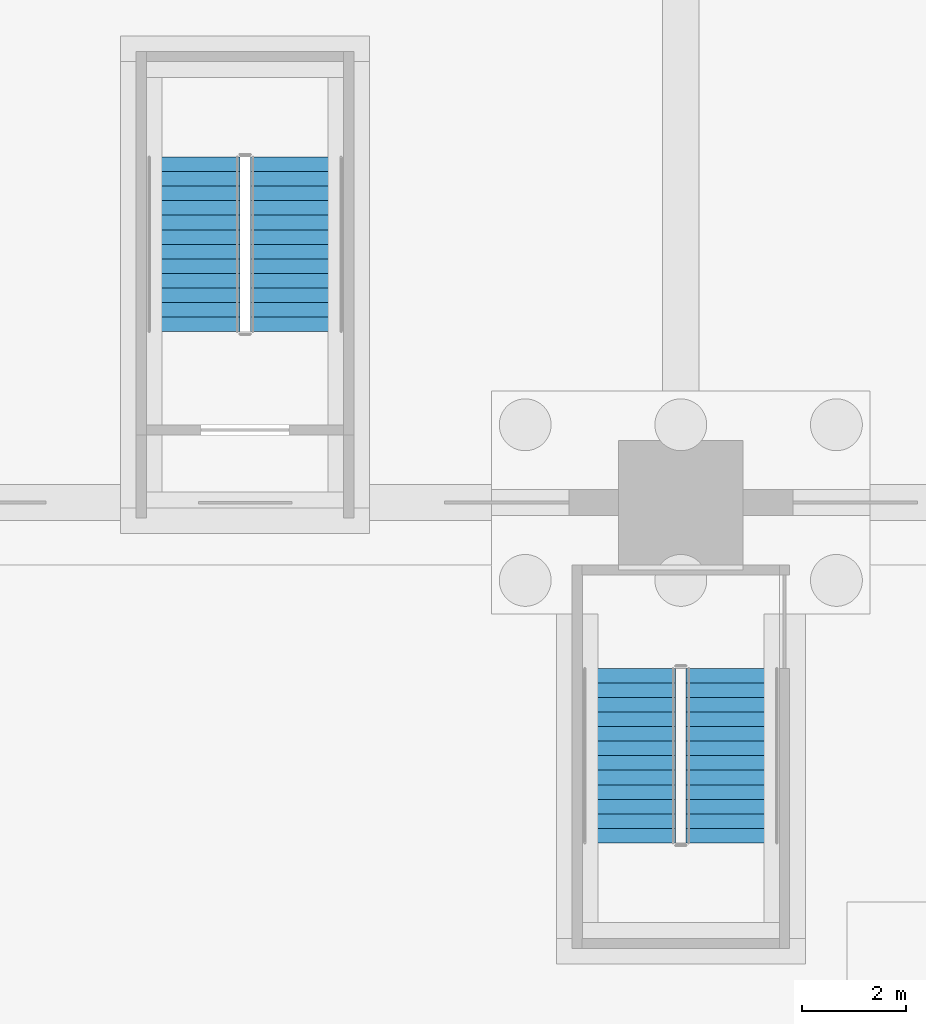
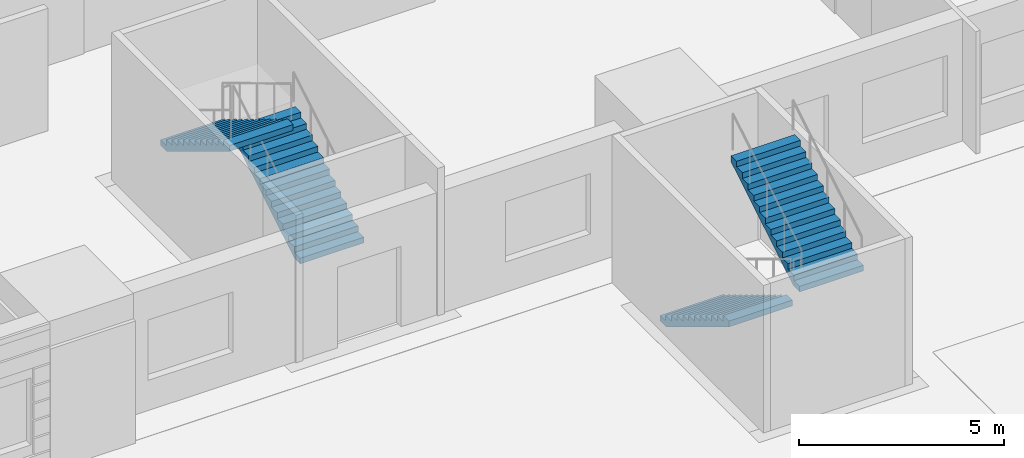
# One storey, part 106 of 139: 4 stair flights, 2 elements without a shape of their own.
"""IFC4 building model written with IfcOpenShell, lengths in metres."""

from ifc_helpers import new_model, si_unit, direction, frame, origin, place, context, subcontext, project, spatial, polygons, material, type_object, element, aggregate, save


model = new_model("IFC4")

# Units and contexts
model_context = context("Model", 3, precision=1e-05, world=origin(), true_north=direction((0.0, 1.0)))
body_context = subcontext(model_context, "Body", "Model", "MODEL_VIEW")
ifc_project = project(units=[si_unit("LENGTHUNIT", "METRE"), si_unit("AREAUNIT", "SQUARE_METRE"), si_unit("VOLUMEUNIT", "CUBIC_METRE"), si_unit("PLANEANGLEUNIT", "RADIAN"), si_unit("MASSUNIT", "GRAM", prefix="KILO")], contexts=[model_context])

# Site, building, storey
site_placement = place(None, origin())
site = spatial("IfcSite", under=ifc_project, at=site_placement, CompositionType="ELEMENT")
building_placement = place(site_placement, origin())
building = spatial("IfcBuilding", under=site, at=building_placement, Name="Verrick Yard Athletic Hall", CompositionType="ELEMENT")
storey_placement = place(building_placement, origin())
storey = spatial("IfcBuildingStorey", under=building, at=storey_placement, Name="L00", CompositionType="ELEMENT", Elevation=0.0)

# Stair, stair flights
ifc_material = material(Name="Concrete 35 MPa", Category="concrete")
stair_type = type_object("IfcStairType", Name="Stair ST3 1800 wide 26 risers", PredefinedType="HALF_TURN_STAIR", material=ifc_material)
stair_1_placement = place(storey_placement, origin())
stair_1 = element("IfcStair", 1, at=stair_1_placement, inside=storey, type_object=stair_type, Name="South deck escape 1 stair L00", PredefinedType="HALF_TURN_STAIR")
stair_flight_type = type_object("IfcStairFlightType", Name="Stair flight SF3 1800 wide 13 risers", PredefinedType="STRAIGHT", material=ifc_material)
stair_flight_1_placement = place(storey_placement, frame((55.800048828125, 16.0, 0.0), z_axis=(0.0, 0.0, 1.0), x_axis=(0.0, -1.0, 0.0)))
stair_flight_1 = element("IfcStairFlight", 2, at=stair_flight_1_placement, type_object=stair_flight_type, Name="ST3 flight 1", NumberOfRisers=13, NumberOfTreads=12, PredefinedType="STRAIGHT", RiserHeight=0.169230769, TreadLength=0.28, context=body_context, shape_type="Tessellation", body=[
    polygons([(0.28980123017674275, -0.89990234375, 0.0), (3.3600000000000003, -0.89990234375, 1.855614638571585), (3.3600000000000003, -0.89990234375, 2.030769228), (3.08, -0.89990234375, 2.030769228), (3.08, -0.89990234375, 1.8615384590000001), (2.8000000000000003, -0.89990234375, 1.8615384590000001), (2.8000000000000003, -0.89990234375, 1.69230769), (2.5200000000000005, -0.89990234375, 1.69230769), (2.5200000000000005, -0.89990234375, 1.523076921), (2.24, -0.89990234375, 1.523076921), (2.24, -0.89990234375, 1.353846152), (1.9600000000000002, -0.89990234375, 1.353846152), (1.9600000000000002, -0.89990234375, 1.1846153830000001), (1.6800000000000002, -0.89990234375, 1.1846153830000001), (1.6800000000000002, -0.89990234375, 1.015384614), (1.4000000000000001, -0.89990234375, 1.015384614), (1.4000000000000001, -0.89990234375, 0.846153845), (1.12, -0.89990234375, 0.846153845), (1.12, -0.89990234375, 0.676923076), (0.8400000000000001, -0.89990234375, 0.676923076), (0.8400000000000001, -0.89990234375, 0.507692307), (0.56, -0.89990234375, 0.507692307), (0.56, -0.89990234375, 0.338461538), (0.28, -0.89990234375, 0.338461538), (0.28, -0.89990234375, 0.169230769), (0.0, -0.89990234375, 0.169230769), (0.0, -0.89990234375, 0.0), (0.28980123017674275, -0.179931640625, 0.0), (3.3600000000000003, -0.179931640625, 1.855614638571585), (3.3600000000000003, -0.179931640625, 2.030769228), (3.08, -0.179931640625, 2.030769228), (3.08, -0.179931640625, 1.8615384590000001), (2.8000000000000003, -0.179931640625, 1.8615384590000001), (2.8000000000000003, -0.179931640625, 1.69230769), (2.5200000000000005, -0.179931640625, 1.69230769), (2.5200000000000005, -0.179931640625, 1.523076921), (2.24, -0.179931640625, 1.523076921), (2.24, -0.179931640625, 1.353846152), (1.9600000000000002, -0.179931640625, 1.353846152), (1.9600000000000002, -0.179931640625, 1.1846153830000001), (1.6800000000000002, -0.179931640625, 1.1846153830000001), (1.6800000000000002, -0.179931640625, 1.015384614), (1.4000000000000001, -0.179931640625, 1.015384614), (1.4000000000000001, -0.179931640625, 0.846153845), (1.12, -0.179931640625, 0.846153845), (1.12, -0.179931640625, 0.676923076), (0.8400000000000001, -0.179931640625, 0.676923076), (0.8400000000000001, -0.179931640625, 0.507692307), (0.56, -0.179931640625, 0.507692307), (0.56, -0.179931640625, 0.338461538), (0.28, -0.179931640625, 0.338461538), (0.28, -0.179931640625, 0.169230769), (0.0, -0.179931640625, 0.169230769), (0.0, -0.179931640625, 0.0), (0.28980123017674275, 0.179931640625, 0.0), (3.3600000000000003, 0.179931640625, 1.855614638571585), (3.3600000000000003, 0.179931640625, 2.030769228), (3.08, 0.179931640625, 2.030769228), (3.08, 0.179931640625, 1.8615384590000001), (2.8000000000000003, 0.179931640625, 1.8615384590000001), (2.8000000000000003, 0.179931640625, 1.69230769), (2.5200000000000005, 0.179931640625, 1.69230769), (2.5200000000000005, 0.179931640625, 1.523076921), (2.24, 0.179931640625, 1.523076921), (2.24, 0.179931640625, 1.353846152), (1.9600000000000002, 0.179931640625, 1.353846152), (1.9600000000000002, 0.179931640625, 1.1846153830000001), (1.6800000000000002, 0.179931640625, 1.1846153830000001), (1.6800000000000002, 0.179931640625, 1.015384614), (1.4000000000000001, 0.179931640625, 1.015384614), (1.4000000000000001, 0.179931640625, 0.846153845), (1.12, 0.179931640625, 0.846153845), (1.12, 0.179931640625, 0.676923076), (0.8400000000000001, 0.179931640625, 0.676923076), (0.8400000000000001, 0.179931640625, 0.507692307), (0.56, 0.179931640625, 0.507692307), (0.56, 0.179931640625, 0.338461538), (0.28, 0.179931640625, 0.338461538), (0.28, 0.179931640625, 0.169230769), (0.0, 0.179931640625, 0.169230769), (0.0, 0.179931640625, 0.0), (0.28980123017674275, 0.89990234375, 0.0), (3.3600000000000003, 0.89990234375, 1.855614638571585), (3.3600000000000003, 0.89990234375, 2.030769228), (3.08, 0.89990234375, 2.030769228), (3.08, 0.89990234375, 1.8615384590000001), (2.8000000000000003, 0.89990234375, 1.8615384590000001), (2.8000000000000003, 0.89990234375, 1.69230769), (2.5200000000000005, 0.89990234375, 1.69230769), (2.5200000000000005, 0.89990234375, 1.523076921), (2.24, 0.89990234375, 1.523076921), (2.24, 0.89990234375, 1.353846152), (1.9600000000000002, 0.89990234375, 1.353846152), (1.9600000000000002, 0.89990234375, 1.1846153830000001), (1.6800000000000002, 0.89990234375, 1.1846153830000001), (1.6800000000000002, 0.89990234375, 1.015384614), (1.4000000000000001, 0.89990234375, 1.015384614), (1.4000000000000001, 0.89990234375, 0.846153845), (1.12, 0.89990234375, 0.846153845), (1.12, 0.89990234375, 0.676923076), (0.8400000000000001, 0.89990234375, 0.676923076), (0.8400000000000001, 0.89990234375, 0.507692307), (0.56, 0.89990234375, 0.507692307), (0.56, 0.89990234375, 0.338461538), (0.28, 0.89990234375, 0.338461538), (0.28, 0.89990234375, 0.169230769), (0.0, 0.89990234375, 0.169230769), (0.0, 0.89990234375, 0.0)], [[[1, 2, 3, 4, 5, 6, 7, 8, 9, 10, 11, 12, 13, 14, 15, 16, 17, 18, 19, 20, 21, 22, 23, 24, 25, 26, 27]], [[108, 107, 106, 105, 104, 103, 102, 101, 100, 99, 98, 97, 96, 95, 94, 93, 92, 91, 90, 89, 88, 87, 86, 85, 84, 83, 82]], [[1, 28, 29, 2]], [[2, 29, 30, 3]], [[3, 30, 31, 4]], [[4, 31, 32, 5]], [[5, 32, 33, 6]], [[6, 33, 34, 7]], [[7, 34, 35, 8]], [[8, 35, 36, 9]], [[9, 36, 37, 10]], [[10, 37, 38, 11]], [[11, 38, 39, 12]], [[12, 39, 40, 13]], [[13, 40, 41, 14]], [[14, 41, 42, 15]], [[15, 42, 43, 16]], [[16, 43, 44, 17]], [[17, 44, 45, 18]], [[18, 45, 46, 19]], [[19, 46, 47, 20]], [[20, 47, 48, 21]], [[21, 48, 49, 22]], [[22, 49, 50, 23]], [[23, 50, 51, 24]], [[24, 51, 52, 25]], [[25, 52, 53, 26]], [[26, 53, 54, 27]], [[27, 54, 28, 1]], [[28, 55, 56, 29]], [[29, 56, 57, 30]], [[30, 57, 58, 31]], [[31, 58, 59, 32]], [[32, 59, 60, 33]], [[33, 60, 61, 34]], [[34, 61, 62, 35]], [[35, 62, 63, 36]], [[36, 63, 64, 37]], [[37, 64, 65, 38]], [[38, 65, 66, 39]], [[39, 66, 67, 40]], [[40, 67, 68, 41]], [[41, 68, 69, 42]], [[42, 69, 70, 43]], [[43, 70, 71, 44]], [[44, 71, 72, 45]], [[45, 72, 73, 46]], [[46, 73, 74, 47]], [[47, 74, 75, 48]], [[48, 75, 76, 49]], [[49, 76, 77, 50]], [[50, 77, 78, 51]], [[51, 78, 79, 52]], [[52, 79, 80, 53]], [[53, 80, 81, 54]], [[54, 81, 55, 28]], [[55, 82, 83, 56]], [[56, 83, 84, 57]], [[57, 84, 85, 58]], [[58, 85, 86, 59]], [[59, 86, 87, 60]], [[60, 87, 88, 61]], [[61, 88, 89, 62]], [[62, 89, 90, 63]], [[63, 90, 91, 64]], [[64, 91, 92, 65]], [[65, 92, 93, 66]], [[66, 93, 94, 67]], [[67, 94, 95, 68]], [[68, 95, 96, 69]], [[69, 96, 97, 70]], [[70, 97, 98, 71]], [[71, 98, 99, 72]], [[72, 99, 100, 73]], [[73, 100, 101, 74]], [[74, 101, 102, 75]], [[75, 102, 103, 76]], [[76, 103, 104, 77]], [[77, 104, 105, 78]], [[78, 105, 106, 79]], [[79, 106, 107, 80]], [[80, 107, 108, 81]], [[81, 108, 82, 55]]], closed=True),
])
stair_flight_2_placement = place(storey_placement, frame((57.800048828125, 12.639892578125, 2.199951171875), z_axis=(0.0, 0.0, 1.0), x_axis=(0.0, 1.0, 0.0)))
stair_flight_2 = element("IfcStairFlight", 3, at=stair_flight_2_placement, type_object=stair_flight_type, Name="ST3 flight 2", NumberOfRisers=13, NumberOfTreads=12, PredefinedType="STRAIGHT", RiserHeight=0.169230769, TreadLength=0.28, context=body_context, shape_type="Tessellation", body=[
    polygons([(0.28980123017674275, -0.89990234375, 0.0), (3.3600000000000003, -0.89990234375, 1.855614638571585), (3.3600000000000003, -0.89990234375, 2.030769228), (3.08, -0.89990234375, 2.030769228), (3.08, -0.89990234375, 1.8615384590000001), (2.8000000000000003, -0.89990234375, 1.8615384590000001), (2.8000000000000003, -0.89990234375, 1.69230769), (2.5200000000000005, -0.89990234375, 1.69230769), (2.5200000000000005, -0.89990234375, 1.523076921), (2.24, -0.89990234375, 1.523076921), (2.24, -0.89990234375, 1.353846152), (1.9600000000000002, -0.89990234375, 1.353846152), (1.9600000000000002, -0.89990234375, 1.1846153830000001), (1.6800000000000002, -0.89990234375, 1.1846153830000001), (1.6800000000000002, -0.89990234375, 1.015384614), (1.4000000000000001, -0.89990234375, 1.015384614), (1.4000000000000001, -0.89990234375, 0.846153845), (1.12, -0.89990234375, 0.846153845), (1.12, -0.89990234375, 0.676923076), (0.8400000000000001, -0.89990234375, 0.676923076), (0.8400000000000001, -0.89990234375, 0.507692307), (0.56, -0.89990234375, 0.507692307), (0.56, -0.89990234375, 0.338461538), (0.28, -0.89990234375, 0.338461538), (0.28, -0.89990234375, 0.169230769), (0.0, -0.89990234375, 0.169230769), (0.0, -0.89990234375, 0.0), (0.28980123017674275, -0.179931640625, 0.0), (3.3600000000000003, -0.179931640625, 1.855614638571585), (3.3600000000000003, -0.179931640625, 2.030769228), (3.08, -0.179931640625, 2.030769228), (3.08, -0.179931640625, 1.8615384590000001), (2.8000000000000003, -0.179931640625, 1.8615384590000001), (2.8000000000000003, -0.179931640625, 1.69230769), (2.5200000000000005, -0.179931640625, 1.69230769), (2.5200000000000005, -0.179931640625, 1.523076921), (2.24, -0.179931640625, 1.523076921), (2.24, -0.179931640625, 1.353846152), (1.9600000000000002, -0.179931640625, 1.353846152), (1.9600000000000002, -0.179931640625, 1.1846153830000001), (1.6800000000000002, -0.179931640625, 1.1846153830000001), (1.6800000000000002, -0.179931640625, 1.015384614), (1.4000000000000001, -0.179931640625, 1.015384614), (1.4000000000000001, -0.179931640625, 0.846153845), (1.12, -0.179931640625, 0.846153845), (1.12, -0.179931640625, 0.676923076), (0.8400000000000001, -0.179931640625, 0.676923076), (0.8400000000000001, -0.179931640625, 0.507692307), (0.56, -0.179931640625, 0.507692307), (0.56, -0.179931640625, 0.338461538), (0.28, -0.179931640625, 0.338461538), (0.28, -0.179931640625, 0.169230769), (0.0, -0.179931640625, 0.169230769), (0.0, -0.179931640625, 0.0), (0.28980123017674275, 0.179931640625, 0.0), (3.3600000000000003, 0.179931640625, 1.855614638571585), (3.3600000000000003, 0.179931640625, 2.030769228), (3.08, 0.179931640625, 2.030769228), (3.08, 0.179931640625, 1.8615384590000001), (2.8000000000000003, 0.179931640625, 1.8615384590000001), (2.8000000000000003, 0.179931640625, 1.69230769), (2.5200000000000005, 0.179931640625, 1.69230769), (2.5200000000000005, 0.179931640625, 1.523076921), (2.24, 0.179931640625, 1.523076921), (2.24, 0.179931640625, 1.353846152), (1.9600000000000002, 0.179931640625, 1.353846152), (1.9600000000000002, 0.179931640625, 1.1846153830000001), (1.6800000000000002, 0.179931640625, 1.1846153830000001), (1.6800000000000002, 0.179931640625, 1.015384614), (1.4000000000000001, 0.179931640625, 1.015384614), (1.4000000000000001, 0.179931640625, 0.846153845), (1.12, 0.179931640625, 0.846153845), (1.12, 0.179931640625, 0.676923076), (0.8400000000000001, 0.179931640625, 0.676923076), (0.8400000000000001, 0.179931640625, 0.507692307), (0.56, 0.179931640625, 0.507692307), (0.56, 0.179931640625, 0.338461538), (0.28, 0.179931640625, 0.338461538), (0.28, 0.179931640625, 0.169230769), (0.0, 0.179931640625, 0.169230769), (0.0, 0.179931640625, 0.0), (0.28980123017674275, 0.89990234375, 0.0), (3.3600000000000003, 0.89990234375, 1.855614638571585), (3.3600000000000003, 0.89990234375, 2.030769228), (3.08, 0.89990234375, 2.030769228), (3.08, 0.89990234375, 1.8615384590000001), (2.8000000000000003, 0.89990234375, 1.8615384590000001), (2.8000000000000003, 0.89990234375, 1.69230769), (2.5200000000000005, 0.89990234375, 1.69230769), (2.5200000000000005, 0.89990234375, 1.523076921), (2.24, 0.89990234375, 1.523076921), (2.24, 0.89990234375, 1.353846152), (1.9600000000000002, 0.89990234375, 1.353846152), (1.9600000000000002, 0.89990234375, 1.1846153830000001), (1.6800000000000002, 0.89990234375, 1.1846153830000001), (1.6800000000000002, 0.89990234375, 1.015384614), (1.4000000000000001, 0.89990234375, 1.015384614), (1.4000000000000001, 0.89990234375, 0.846153845), (1.12, 0.89990234375, 0.846153845), (1.12, 0.89990234375, 0.676923076), (0.8400000000000001, 0.89990234375, 0.676923076), (0.8400000000000001, 0.89990234375, 0.507692307), (0.56, 0.89990234375, 0.507692307), (0.56, 0.89990234375, 0.338461538), (0.28, 0.89990234375, 0.338461538), (0.28, 0.89990234375, 0.169230769), (0.0, 0.89990234375, 0.169230769), (0.0, 0.89990234375, 0.0)], [[[1, 2, 3, 4, 5, 6, 7, 8, 9, 10, 11, 12, 13, 14, 15, 16, 17, 18, 19, 20, 21, 22, 23, 24, 25, 26, 27]], [[108, 107, 106, 105, 104, 103, 102, 101, 100, 99, 98, 97, 96, 95, 94, 93, 92, 91, 90, 89, 88, 87, 86, 85, 84, 83, 82]], [[1, 28, 29, 2]], [[2, 29, 30, 3]], [[3, 30, 31, 4]], [[4, 31, 32, 5]], [[5, 32, 33, 6]], [[6, 33, 34, 7]], [[7, 34, 35, 8]], [[8, 35, 36, 9]], [[9, 36, 37, 10]], [[10, 37, 38, 11]], [[11, 38, 39, 12]], [[12, 39, 40, 13]], [[13, 40, 41, 14]], [[14, 41, 42, 15]], [[15, 42, 43, 16]], [[16, 43, 44, 17]], [[17, 44, 45, 18]], [[18, 45, 46, 19]], [[19, 46, 47, 20]], [[20, 47, 48, 21]], [[21, 48, 49, 22]], [[22, 49, 50, 23]], [[23, 50, 51, 24]], [[24, 51, 52, 25]], [[25, 52, 53, 26]], [[26, 53, 54, 27]], [[27, 54, 28, 1]], [[28, 55, 56, 29]], [[29, 56, 57, 30]], [[30, 57, 58, 31]], [[31, 58, 59, 32]], [[32, 59, 60, 33]], [[33, 60, 61, 34]], [[34, 61, 62, 35]], [[35, 62, 63, 36]], [[36, 63, 64, 37]], [[37, 64, 65, 38]], [[38, 65, 66, 39]], [[39, 66, 67, 40]], [[40, 67, 68, 41]], [[41, 68, 69, 42]], [[42, 69, 70, 43]], [[43, 70, 71, 44]], [[44, 71, 72, 45]], [[45, 72, 73, 46]], [[46, 73, 74, 47]], [[47, 74, 75, 48]], [[48, 75, 76, 49]], [[49, 76, 77, 50]], [[50, 77, 78, 51]], [[51, 78, 79, 52]], [[52, 79, 80, 53]], [[53, 80, 81, 54]], [[54, 81, 55, 28]], [[55, 82, 83, 56]], [[56, 83, 84, 57]], [[57, 84, 85, 58]], [[58, 85, 86, 59]], [[59, 86, 87, 60]], [[60, 87, 88, 61]], [[61, 88, 89, 62]], [[62, 89, 90, 63]], [[63, 90, 91, 64]], [[64, 91, 92, 65]], [[65, 92, 93, 66]], [[66, 93, 94, 67]], [[67, 94, 95, 68]], [[68, 95, 96, 69]], [[69, 96, 97, 70]], [[70, 97, 98, 71]], [[71, 98, 99, 72]], [[72, 99, 100, 73]], [[73, 100, 101, 74]], [[74, 101, 102, 75]], [[75, 102, 103, 76]], [[76, 103, 104, 77]], [[77, 104, 105, 78]], [[78, 105, 106, 79]], [[79, 106, 107, 80]], [[80, 107, 108, 81]], [[81, 108, 82, 55]]], closed=True),
])
aggregate(stair_1, [stair_flight_1, stair_flight_2])

stair_2_placement = place(storey_placement, origin())
stair_2 = element("IfcStair", 4, at=stair_2_placement, inside=storey, type_object=stair_type, Name="South plinth exit 1 stair L00", PredefinedType="HALF_TURN_STAIR")
stair_flight_3_placement = place(storey_placement, frame((49.39990234375, 22.5, 0.0), z_axis=(0.0, 0.0, 1.0), x_axis=(0.0, 1.0, 0.0)))
stair_flight_3 = element("IfcStairFlight", 5, at=stair_flight_3_placement, type_object=stair_flight_type, Name="ST3 flight 1", NumberOfRisers=13, NumberOfTreads=12, PredefinedType="STRAIGHT", RiserHeight=0.169230769, TreadLength=0.28, context=body_context, shape_type="Tessellation", body=[
    polygons([(0.28980123017674275, -0.89990234375, 0.0), (3.3600000000000003, -0.89990234375, 1.855614638571585), (3.3600000000000003, -0.89990234375, 2.030769228), (3.08, -0.89990234375, 2.030769228), (3.08, -0.89990234375, 1.8615384590000001), (2.8000000000000003, -0.89990234375, 1.8615384590000001), (2.8000000000000003, -0.89990234375, 1.69230769), (2.5200000000000005, -0.89990234375, 1.69230769), (2.5200000000000005, -0.89990234375, 1.523076921), (2.24, -0.89990234375, 1.523076921), (2.24, -0.89990234375, 1.353846152), (1.9600000000000002, -0.89990234375, 1.353846152), (1.9600000000000002, -0.89990234375, 1.1846153830000001), (1.6800000000000002, -0.89990234375, 1.1846153830000001), (1.6800000000000002, -0.89990234375, 1.015384614), (1.4000000000000001, -0.89990234375, 1.015384614), (1.4000000000000001, -0.89990234375, 0.846153845), (1.12, -0.89990234375, 0.846153845), (1.12, -0.89990234375, 0.676923076), (0.8400000000000001, -0.89990234375, 0.676923076), (0.8400000000000001, -0.89990234375, 0.507692307), (0.56, -0.89990234375, 0.507692307), (0.56, -0.89990234375, 0.338461538), (0.28, -0.89990234375, 0.338461538), (0.28, -0.89990234375, 0.169230769), (0.0, -0.89990234375, 0.169230769), (0.0, -0.89990234375, 0.0), (0.28980123017674275, -0.179931640625, 0.0), (3.3600000000000003, -0.179931640625, 1.855614638571585), (3.3600000000000003, -0.179931640625, 2.030769228), (3.08, -0.179931640625, 2.030769228), (3.08, -0.179931640625, 1.8615384590000001), (2.8000000000000003, -0.179931640625, 1.8615384590000001), (2.8000000000000003, -0.179931640625, 1.69230769), (2.5200000000000005, -0.179931640625, 1.69230769), (2.5200000000000005, -0.179931640625, 1.523076921), (2.24, -0.179931640625, 1.523076921), (2.24, -0.179931640625, 1.353846152), (1.9600000000000002, -0.179931640625, 1.353846152), (1.9600000000000002, -0.179931640625, 1.1846153830000001), (1.6800000000000002, -0.179931640625, 1.1846153830000001), (1.6800000000000002, -0.179931640625, 1.015384614), (1.4000000000000001, -0.179931640625, 1.015384614), (1.4000000000000001, -0.179931640625, 0.846153845), (1.12, -0.179931640625, 0.846153845), (1.12, -0.179931640625, 0.676923076), (0.8400000000000001, -0.179931640625, 0.676923076), (0.8400000000000001, -0.179931640625, 0.507692307), (0.56, -0.179931640625, 0.507692307), (0.56, -0.179931640625, 0.338461538), (0.28, -0.179931640625, 0.338461538), (0.28, -0.179931640625, 0.169230769), (0.0, -0.179931640625, 0.169230769), (0.0, -0.179931640625, 0.0), (0.28980123017674275, 0.179931640625, 0.0), (3.3600000000000003, 0.179931640625, 1.855614638571585), (3.3600000000000003, 0.179931640625, 2.030769228), (3.08, 0.179931640625, 2.030769228), (3.08, 0.179931640625, 1.8615384590000001), (2.8000000000000003, 0.179931640625, 1.8615384590000001), (2.8000000000000003, 0.179931640625, 1.69230769), (2.5200000000000005, 0.179931640625, 1.69230769), (2.5200000000000005, 0.179931640625, 1.523076921), (2.24, 0.179931640625, 1.523076921), (2.24, 0.179931640625, 1.353846152), (1.9600000000000002, 0.179931640625, 1.353846152), (1.9600000000000002, 0.179931640625, 1.1846153830000001), (1.6800000000000002, 0.179931640625, 1.1846153830000001), (1.6800000000000002, 0.179931640625, 1.015384614), (1.4000000000000001, 0.179931640625, 1.015384614), (1.4000000000000001, 0.179931640625, 0.846153845), (1.12, 0.179931640625, 0.846153845), (1.12, 0.179931640625, 0.676923076), (0.8400000000000001, 0.179931640625, 0.676923076), (0.8400000000000001, 0.179931640625, 0.507692307), (0.56, 0.179931640625, 0.507692307), (0.56, 0.179931640625, 0.338461538), (0.28, 0.179931640625, 0.338461538), (0.28, 0.179931640625, 0.169230769), (0.0, 0.179931640625, 0.169230769), (0.0, 0.179931640625, 0.0), (0.28980123017674275, 0.89990234375, 0.0), (3.3600000000000003, 0.89990234375, 1.855614638571585), (3.3600000000000003, 0.89990234375, 2.030769228), (3.08, 0.89990234375, 2.030769228), (3.08, 0.89990234375, 1.8615384590000001), (2.8000000000000003, 0.89990234375, 1.8615384590000001), (2.8000000000000003, 0.89990234375, 1.69230769), (2.5200000000000005, 0.89990234375, 1.69230769), (2.5200000000000005, 0.89990234375, 1.523076921), (2.24, 0.89990234375, 1.523076921), (2.24, 0.89990234375, 1.353846152), (1.9600000000000002, 0.89990234375, 1.353846152), (1.9600000000000002, 0.89990234375, 1.1846153830000001), (1.6800000000000002, 0.89990234375, 1.1846153830000001), (1.6800000000000002, 0.89990234375, 1.015384614), (1.4000000000000001, 0.89990234375, 1.015384614), (1.4000000000000001, 0.89990234375, 0.846153845), (1.12, 0.89990234375, 0.846153845), (1.12, 0.89990234375, 0.676923076), (0.8400000000000001, 0.89990234375, 0.676923076), (0.8400000000000001, 0.89990234375, 0.507692307), (0.56, 0.89990234375, 0.507692307), (0.56, 0.89990234375, 0.338461538), (0.28, 0.89990234375, 0.338461538), (0.28, 0.89990234375, 0.169230769), (0.0, 0.89990234375, 0.169230769), (0.0, 0.89990234375, 0.0)], [[[1, 2, 3, 4, 5, 6, 7, 8, 9, 10, 11, 12, 13, 14, 15, 16, 17, 18, 19, 20, 21, 22, 23, 24, 25, 26, 27]], [[108, 107, 106, 105, 104, 103, 102, 101, 100, 99, 98, 97, 96, 95, 94, 93, 92, 91, 90, 89, 88, 87, 86, 85, 84, 83, 82]], [[1, 28, 29, 2]], [[2, 29, 30, 3]], [[3, 30, 31, 4]], [[4, 31, 32, 5]], [[5, 32, 33, 6]], [[6, 33, 34, 7]], [[7, 34, 35, 8]], [[8, 35, 36, 9]], [[9, 36, 37, 10]], [[10, 37, 38, 11]], [[11, 38, 39, 12]], [[12, 39, 40, 13]], [[13, 40, 41, 14]], [[14, 41, 42, 15]], [[15, 42, 43, 16]], [[16, 43, 44, 17]], [[17, 44, 45, 18]], [[18, 45, 46, 19]], [[19, 46, 47, 20]], [[20, 47, 48, 21]], [[21, 48, 49, 22]], [[22, 49, 50, 23]], [[23, 50, 51, 24]], [[24, 51, 52, 25]], [[25, 52, 53, 26]], [[26, 53, 54, 27]], [[27, 54, 28, 1]], [[28, 55, 56, 29]], [[29, 56, 57, 30]], [[30, 57, 58, 31]], [[31, 58, 59, 32]], [[32, 59, 60, 33]], [[33, 60, 61, 34]], [[34, 61, 62, 35]], [[35, 62, 63, 36]], [[36, 63, 64, 37]], [[37, 64, 65, 38]], [[38, 65, 66, 39]], [[39, 66, 67, 40]], [[40, 67, 68, 41]], [[41, 68, 69, 42]], [[42, 69, 70, 43]], [[43, 70, 71, 44]], [[44, 71, 72, 45]], [[45, 72, 73, 46]], [[46, 73, 74, 47]], [[47, 74, 75, 48]], [[48, 75, 76, 49]], [[49, 76, 77, 50]], [[50, 77, 78, 51]], [[51, 78, 79, 52]], [[52, 79, 80, 53]], [[53, 80, 81, 54]], [[54, 81, 55, 28]], [[55, 82, 83, 56]], [[56, 83, 84, 57]], [[57, 84, 85, 58]], [[58, 85, 86, 59]], [[59, 86, 87, 60]], [[60, 87, 88, 61]], [[61, 88, 89, 62]], [[62, 89, 90, 63]], [[63, 90, 91, 64]], [[64, 91, 92, 65]], [[65, 92, 93, 66]], [[66, 93, 94, 67]], [[67, 94, 95, 68]], [[68, 95, 96, 69]], [[69, 96, 97, 70]], [[70, 97, 98, 71]], [[71, 98, 99, 72]], [[72, 99, 100, 73]], [[73, 100, 101, 74]], [[74, 101, 102, 75]], [[75, 102, 103, 76]], [[76, 103, 104, 77]], [[77, 104, 105, 78]], [[78, 105, 106, 79]], [[79, 106, 107, 80]], [[80, 107, 108, 81]], [[81, 108, 82, 55]]], closed=True),
])
stair_flight_4_placement = place(storey_placement, frame((47.39990234375, 25.860107421875, 2.199951171875), z_axis=(0.0, 0.0, 1.0), x_axis=(0.0, -1.0, 0.0)))
stair_flight_4 = element("IfcStairFlight", 6, at=stair_flight_4_placement, type_object=stair_flight_type, Name="ST3 flight 2", NumberOfRisers=13, NumberOfTreads=12, PredefinedType="STRAIGHT", RiserHeight=0.169230769, TreadLength=0.28, context=body_context, shape_type="Tessellation", body=[
    polygons([(0.28980123017674275, -0.89990234375, 0.0), (3.3600000000000003, -0.89990234375, 1.855614638571585), (3.3600000000000003, -0.89990234375, 2.030769228), (3.08, -0.89990234375, 2.030769228), (3.08, -0.89990234375, 1.8615384590000001), (2.8000000000000003, -0.89990234375, 1.8615384590000001), (2.8000000000000003, -0.89990234375, 1.69230769), (2.5200000000000005, -0.89990234375, 1.69230769), (2.5200000000000005, -0.89990234375, 1.523076921), (2.24, -0.89990234375, 1.523076921), (2.24, -0.89990234375, 1.353846152), (1.9600000000000002, -0.89990234375, 1.353846152), (1.9600000000000002, -0.89990234375, 1.1846153830000001), (1.6800000000000002, -0.89990234375, 1.1846153830000001), (1.6800000000000002, -0.89990234375, 1.015384614), (1.4000000000000001, -0.89990234375, 1.015384614), (1.4000000000000001, -0.89990234375, 0.846153845), (1.12, -0.89990234375, 0.846153845), (1.12, -0.89990234375, 0.676923076), (0.8400000000000001, -0.89990234375, 0.676923076), (0.8400000000000001, -0.89990234375, 0.507692307), (0.56, -0.89990234375, 0.507692307), (0.56, -0.89990234375, 0.338461538), (0.28, -0.89990234375, 0.338461538), (0.28, -0.89990234375, 0.169230769), (0.0, -0.89990234375, 0.169230769), (0.0, -0.89990234375, 0.0), (0.28980123017674275, -0.179931640625, 0.0), (3.3600000000000003, -0.179931640625, 1.855614638571585), (3.3600000000000003, -0.179931640625, 2.030769228), (3.08, -0.179931640625, 2.030769228), (3.08, -0.179931640625, 1.8615384590000001), (2.8000000000000003, -0.179931640625, 1.8615384590000001), (2.8000000000000003, -0.179931640625, 1.69230769), (2.5200000000000005, -0.179931640625, 1.69230769), (2.5200000000000005, -0.179931640625, 1.523076921), (2.24, -0.179931640625, 1.523076921), (2.24, -0.179931640625, 1.353846152), (1.9600000000000002, -0.179931640625, 1.353846152), (1.9600000000000002, -0.179931640625, 1.1846153830000001), (1.6800000000000002, -0.179931640625, 1.1846153830000001), (1.6800000000000002, -0.179931640625, 1.015384614), (1.4000000000000001, -0.179931640625, 1.015384614), (1.4000000000000001, -0.179931640625, 0.846153845), (1.12, -0.179931640625, 0.846153845), (1.12, -0.179931640625, 0.676923076), (0.8400000000000001, -0.179931640625, 0.676923076), (0.8400000000000001, -0.179931640625, 0.507692307), (0.56, -0.179931640625, 0.507692307), (0.56, -0.179931640625, 0.338461538), (0.28, -0.179931640625, 0.338461538), (0.28, -0.179931640625, 0.169230769), (0.0, -0.179931640625, 0.169230769), (0.0, -0.179931640625, 0.0), (0.28980123017674275, 0.179931640625, 0.0), (3.3600000000000003, 0.179931640625, 1.855614638571585), (3.3600000000000003, 0.179931640625, 2.030769228), (3.08, 0.179931640625, 2.030769228), (3.08, 0.179931640625, 1.8615384590000001), (2.8000000000000003, 0.179931640625, 1.8615384590000001), (2.8000000000000003, 0.179931640625, 1.69230769), (2.5200000000000005, 0.179931640625, 1.69230769), (2.5200000000000005, 0.179931640625, 1.523076921), (2.24, 0.179931640625, 1.523076921), (2.24, 0.179931640625, 1.353846152), (1.9600000000000002, 0.179931640625, 1.353846152), (1.9600000000000002, 0.179931640625, 1.1846153830000001), (1.6800000000000002, 0.179931640625, 1.1846153830000001), (1.6800000000000002, 0.179931640625, 1.015384614), (1.4000000000000001, 0.179931640625, 1.015384614), (1.4000000000000001, 0.179931640625, 0.846153845), (1.12, 0.179931640625, 0.846153845), (1.12, 0.179931640625, 0.676923076), (0.8400000000000001, 0.179931640625, 0.676923076), (0.8400000000000001, 0.179931640625, 0.507692307), (0.56, 0.179931640625, 0.507692307), (0.56, 0.179931640625, 0.338461538), (0.28, 0.179931640625, 0.338461538), (0.28, 0.179931640625, 0.169230769), (0.0, 0.179931640625, 0.169230769), (0.0, 0.179931640625, 0.0), (0.28980123017674275, 0.89990234375, 0.0), (3.3600000000000003, 0.89990234375, 1.855614638571585), (3.3600000000000003, 0.89990234375, 2.030769228), (3.08, 0.89990234375, 2.030769228), (3.08, 0.89990234375, 1.8615384590000001), (2.8000000000000003, 0.89990234375, 1.8615384590000001), (2.8000000000000003, 0.89990234375, 1.69230769), (2.5200000000000005, 0.89990234375, 1.69230769), (2.5200000000000005, 0.89990234375, 1.523076921), (2.24, 0.89990234375, 1.523076921), (2.24, 0.89990234375, 1.353846152), (1.9600000000000002, 0.89990234375, 1.353846152), (1.9600000000000002, 0.89990234375, 1.1846153830000001), (1.6800000000000002, 0.89990234375, 1.1846153830000001), (1.6800000000000002, 0.89990234375, 1.015384614), (1.4000000000000001, 0.89990234375, 1.015384614), (1.4000000000000001, 0.89990234375, 0.846153845), (1.12, 0.89990234375, 0.846153845), (1.12, 0.89990234375, 0.676923076), (0.8400000000000001, 0.89990234375, 0.676923076), (0.8400000000000001, 0.89990234375, 0.507692307), (0.56, 0.89990234375, 0.507692307), (0.56, 0.89990234375, 0.338461538), (0.28, 0.89990234375, 0.338461538), (0.28, 0.89990234375, 0.169230769), (0.0, 0.89990234375, 0.169230769), (0.0, 0.89990234375, 0.0)], [[[1, 2, 3, 4, 5, 6, 7, 8, 9, 10, 11, 12, 13, 14, 15, 16, 17, 18, 19, 20, 21, 22, 23, 24, 25, 26, 27]], [[108, 107, 106, 105, 104, 103, 102, 101, 100, 99, 98, 97, 96, 95, 94, 93, 92, 91, 90, 89, 88, 87, 86, 85, 84, 83, 82]], [[1, 28, 29, 2]], [[2, 29, 30, 3]], [[3, 30, 31, 4]], [[4, 31, 32, 5]], [[5, 32, 33, 6]], [[6, 33, 34, 7]], [[7, 34, 35, 8]], [[8, 35, 36, 9]], [[9, 36, 37, 10]], [[10, 37, 38, 11]], [[11, 38, 39, 12]], [[12, 39, 40, 13]], [[13, 40, 41, 14]], [[14, 41, 42, 15]], [[15, 42, 43, 16]], [[16, 43, 44, 17]], [[17, 44, 45, 18]], [[18, 45, 46, 19]], [[19, 46, 47, 20]], [[20, 47, 48, 21]], [[21, 48, 49, 22]], [[22, 49, 50, 23]], [[23, 50, 51, 24]], [[24, 51, 52, 25]], [[25, 52, 53, 26]], [[26, 53, 54, 27]], [[27, 54, 28, 1]], [[28, 55, 56, 29]], [[29, 56, 57, 30]], [[30, 57, 58, 31]], [[31, 58, 59, 32]], [[32, 59, 60, 33]], [[33, 60, 61, 34]], [[34, 61, 62, 35]], [[35, 62, 63, 36]], [[36, 63, 64, 37]], [[37, 64, 65, 38]], [[38, 65, 66, 39]], [[39, 66, 67, 40]], [[40, 67, 68, 41]], [[41, 68, 69, 42]], [[42, 69, 70, 43]], [[43, 70, 71, 44]], [[44, 71, 72, 45]], [[45, 72, 73, 46]], [[46, 73, 74, 47]], [[47, 74, 75, 48]], [[48, 75, 76, 49]], [[49, 76, 77, 50]], [[50, 77, 78, 51]], [[51, 78, 79, 52]], [[52, 79, 80, 53]], [[53, 80, 81, 54]], [[54, 81, 55, 28]], [[55, 82, 83, 56]], [[56, 83, 84, 57]], [[57, 84, 85, 58]], [[58, 85, 86, 59]], [[59, 86, 87, 60]], [[60, 87, 88, 61]], [[61, 88, 89, 62]], [[62, 89, 90, 63]], [[63, 90, 91, 64]], [[64, 91, 92, 65]], [[65, 92, 93, 66]], [[66, 93, 94, 67]], [[67, 94, 95, 68]], [[68, 95, 96, 69]], [[69, 96, 97, 70]], [[70, 97, 98, 71]], [[71, 98, 99, 72]], [[72, 99, 100, 73]], [[73, 100, 101, 74]], [[74, 101, 102, 75]], [[75, 102, 103, 76]], [[76, 103, 104, 77]], [[77, 104, 105, 78]], [[78, 105, 106, 79]], [[79, 106, 107, 80]], [[80, 107, 108, 81]], [[81, 108, 82, 55]]], closed=True),
])
aggregate(stair_2, [stair_flight_3, stair_flight_4])

save(model, "model.ifc")
